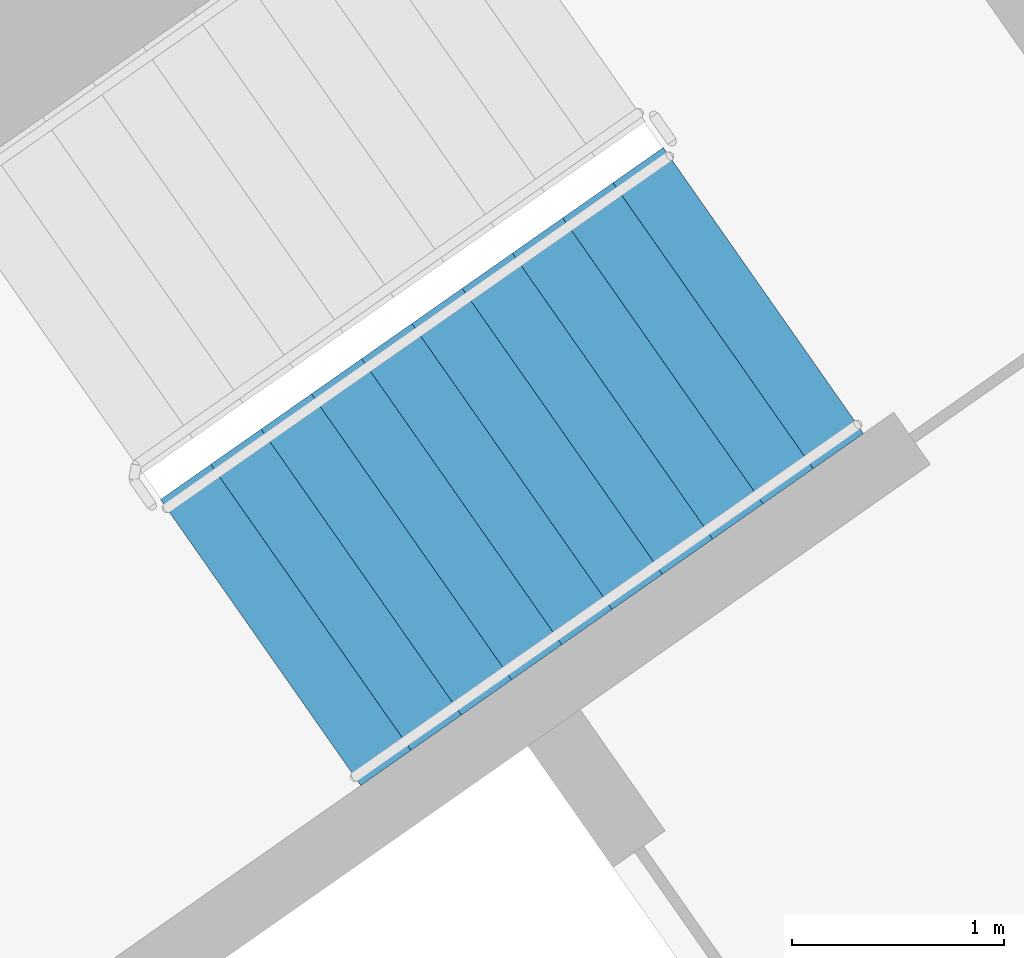
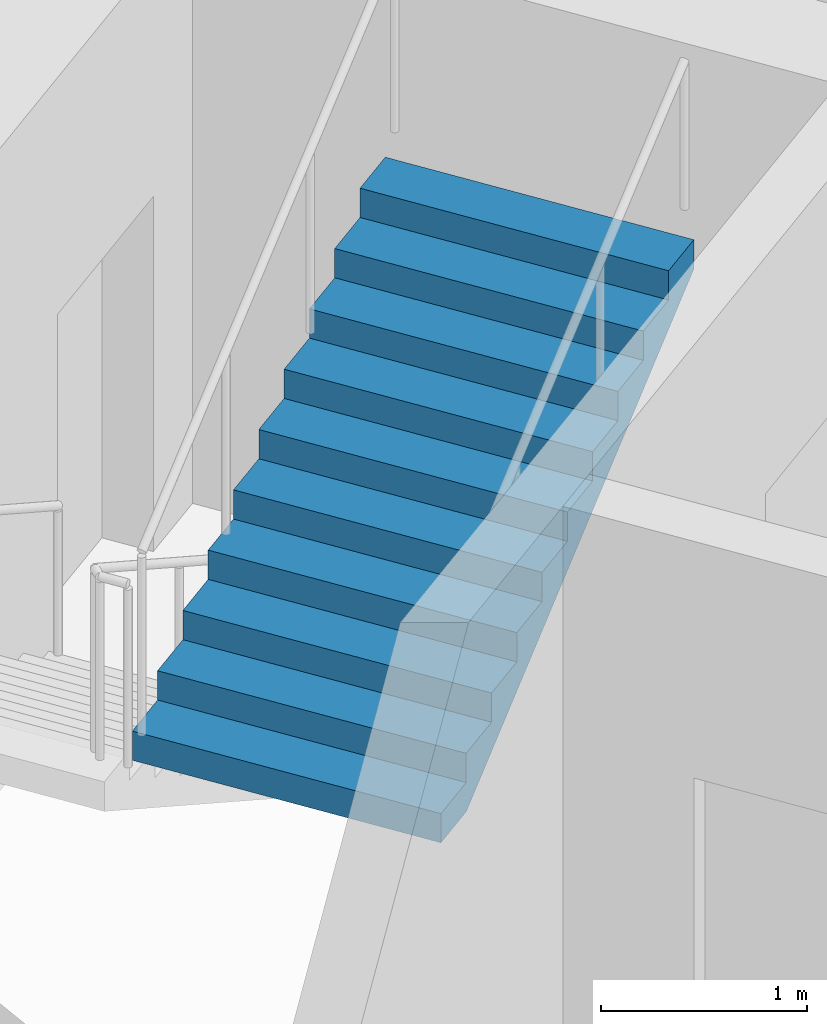
# One storey, part 16 of 28: 1 stair flight, 1 element without a shape of its own.
"""IFC4 building model written with IfcOpenShell, lengths in metres."""

from ifc_helpers import new_model, si_unit, direction, frame, origin, place, context, subcontext, project, spatial, faceted_brep, material, type_object, element, aggregate, save


model = new_model("IFC4")

# Units and contexts
model_context = context("Model", 3, precision=1e-05, world=origin(), true_north=direction((0.0, 1.0)))
body_context = subcontext(model_context, "Body", "Model", "MODEL_VIEW")
ifc_project = project(units=[si_unit("LENGTHUNIT", "METRE"), si_unit("AREAUNIT", "SQUARE_METRE"), si_unit("VOLUMEUNIT", "CUBIC_METRE"), si_unit("PLANEANGLEUNIT", "RADIAN"), si_unit("MASSUNIT", "GRAM", prefix="KILO")], contexts=[model_context])

# Site, building, storey
site_placement = place(None, origin())
site = spatial("IfcSite", under=ifc_project, at=site_placement, CompositionType="ELEMENT")
building_placement = place(site_placement, origin())
building = spatial("IfcBuilding", under=site, at=building_placement, Name="Qamariyya Broadcast Tower", CompositionType="ELEMENT")
storey_placement = place(building_placement, frame((0.0, 0.0, 269.5)))
storey = spatial("IfcBuildingStorey", under=building, at=storey_placement, Name="L65", CompositionType="ELEMENT", Elevation=269.5)

# Stair, stair flight
ifc_material = material(Name="Concrete C50/60", Category="concrete")
stair_type = type_object("IfcStairType", Name="Exit stair 22 risers of 173 mm", PredefinedType="HALF_TURN_STAIR", material=ifc_material)
stair_placement = place(storey_placement, origin())
stair = element("IfcStair", 1, at=stair_placement, inside=storey, type_object=stair_type, Name="L65 Stair E2", PredefinedType="HALF_TURN_STAIR")
stair_flight_type = type_object("IfcStairFlightType", Name="Exit stair flight 11 risers of 173 mm", PredefinedType="STRAIGHT", material=ifc_material)
stair_flight_placement = place(storey_placement, frame((39.215576171875, -50.822998046875, 1.89990234375), z_axis=(0.0, 0.0, 1.0), x_axis=(0.819152044289, 0.573576436351, 0.0)))
stair_flight = element("IfcStairFlight", 2, at=stair_flight_placement, type_object=stair_flight_type, Name="ST-E2 flight 2", NumberOfRisers=11, NumberOfTreads=10, PredefinedType="STRAIGHT", RiserHeight=0.172727273, TreadLength=0.29, context=body_context, shape_type="Brep", body=[
    faceted_brep([(0.0, 0.824951171875, 0.0), (0.0, 0.824951171875, 0.172607421875), (0.2900390625, 0.824951171875, 0.172607421875), (0.2900390625, 0.824951171875, 0.345458984375), (0.580078125, 0.824951171875, 0.345458984375), (0.580078125, 0.824951171875, 0.51806640625), (0.8701171875, 0.824951171875, 0.51806640625), (0.8701171875, 0.824951171875, 0.69091796875), (1.159912109375, 0.824951171875, 0.69091796875), (1.159912109375, 0.824951171875, 0.863525390625), (1.449951171875, 0.824951171875, 0.863525390625), (1.449951171875, 0.824951171875, 1.036376953125), (1.739990234375, 0.824951171875, 1.036376953125), (1.739990234375, 0.824951171875, 1.208984375), (2.030029296875, 0.824951171875, 1.208984375), (2.030029296875, 0.824951171875, 1.3818359375), (2.320068359375, 0.824951171875, 1.3818359375), (2.320068359375, 0.824951171875, 1.554443359375), (2.610107421875, 0.824951171875, 1.554443359375), (2.610107421875, 0.824951171875, 1.727294921875), (2.89990234375, 0.824951171875, 1.727294921875), (2.89990234375, 0.824951171875, 1.552734375), (0.29296875, 0.824951171875, 0.0), (0.29296875, -0.824951171875, 0.0), (2.89990234375, -0.824951171875, 1.552734375), (2.89990234375, -0.824951171875, 1.727294921875), (2.610107421875, -0.824951171875, 1.727294921875), (2.610107421875, -0.824951171875, 1.554443359375), (2.320068359375, -0.824951171875, 1.554443359375), (2.320068359375, -0.824951171875, 1.3818359375), (2.030029296875, -0.824951171875, 1.3818359375), (2.030029296875, -0.824951171875, 1.208984375), (1.739990234375, -0.824951171875, 1.208984375), (1.739990234375, -0.824951171875, 1.036376953125), (1.449951171875, -0.824951171875, 1.036376953125), (1.449951171875, -0.824951171875, 0.863525390625), (1.159912109375, -0.824951171875, 0.863525390625), (1.159912109375, -0.824951171875, 0.69091796875), (0.8701171875, -0.824951171875, 0.69091796875), (0.8701171875, -0.824951171875, 0.51806640625), (0.580078125, -0.824951171875, 0.51806640625), (0.580078125, -0.824951171875, 0.345458984375), (0.2900390625, -0.824951171875, 0.345458984375), (0.2900390625, -0.824951171875, 0.172607421875), (0.0, -0.824951171875, 0.172607421875), (0.0, -0.824951171875, 0.0), (0.0, 0.10009765625, 0.0), (0.0, 0.086669921875, 0.0), (0.0, 0.0732421875, 0.0), (0.0, 0.06005859375, 0.0), (0.0, 0.046630859375, 0.0), (0.0, 0.033447265625, 0.0), (0.0, 0.02001953125, 0.0), (0.0, 0.006591796875, 0.0), (0.0, -0.006591796875, 0.0), (0.0, -0.02001953125, 0.0), (0.0, -0.033447265625, 0.0), (0.0, -0.046630859375, 0.0), (0.0, -0.06005859375, 0.0), (0.0, -0.0732421875, 0.0), (0.0, -0.086669921875, 0.0), (0.0, -0.10009765625, 0.0), (0.0, -0.10009765625, 0.172607421875), (0.0, -0.086669921875, 0.172607421875), (0.0, -0.0732421875, 0.172607421875), (0.0, -0.06005859375, 0.172607421875), (0.0, -0.046630859375, 0.172607421875), (0.0, -0.033447265625, 0.172607421875), (0.0, -0.02001953125, 0.172607421875), (0.0, -0.006591796875, 0.172607421875), (0.0, 0.006591796875, 0.172607421875), (0.0, 0.02001953125, 0.172607421875), (0.0, 0.033447265625, 0.172607421875), (0.0, 0.046630859375, 0.172607421875), (0.0, 0.06005859375, 0.172607421875), (0.0, 0.0732421875, 0.172607421875), (0.0, 0.086669921875, 0.172607421875), (0.0, 0.10009765625, 0.172607421875), (0.2900390625, -0.10009765625, 0.172607421875), (0.2900390625, -0.086669921875, 0.172607421875), (0.2900390625, -0.0732421875, 0.172607421875), (0.2900390625, -0.06005859375, 0.172607421875), (0.2900390625, -0.046630859375, 0.172607421875), (0.2900390625, -0.033447265625, 0.172607421875), (0.2900390625, -0.02001953125, 0.172607421875), (0.2900390625, -0.006591796875, 0.172607421875), (0.2900390625, 0.006591796875, 0.172607421875), (0.2900390625, 0.02001953125, 0.172607421875), (0.2900390625, 0.033447265625, 0.172607421875), (0.2900390625, 0.046630859375, 0.172607421875), (0.2900390625, 0.06005859375, 0.172607421875), (0.2900390625, 0.0732421875, 0.172607421875), (0.2900390625, 0.086669921875, 0.172607421875), (0.2900390625, 0.10009765625, 0.172607421875), (0.2900390625, -0.10009765625, 0.345458984375), (0.2900390625, -0.086669921875, 0.345458984375), (0.2900390625, -0.0732421875, 0.345458984375), (0.2900390625, -0.06005859375, 0.345458984375), (0.2900390625, -0.046630859375, 0.345458984375), (0.2900390625, -0.033447265625, 0.345458984375), (0.2900390625, -0.02001953125, 0.345458984375), (0.2900390625, -0.006591796875, 0.345458984375), (0.2900390625, 0.006591796875, 0.345458984375), (0.2900390625, 0.02001953125, 0.345458984375), (0.2900390625, 0.033447265625, 0.345458984375), (0.2900390625, 0.046630859375, 0.345458984375), (0.2900390625, 0.06005859375, 0.345458984375), (0.2900390625, 0.0732421875, 0.345458984375), (0.2900390625, 0.086669921875, 0.345458984375), (0.2900390625, 0.10009765625, 0.345458984375), (0.580078125, -0.10009765625, 0.345458984375), (0.580078125, -0.086669921875, 0.345458984375), (0.580078125, -0.0732421875, 0.345458984375), (0.580078125, -0.06005859375, 0.345458984375), (0.580078125, -0.046630859375, 0.345458984375), (0.580078125, -0.033447265625, 0.345458984375), (0.580078125, -0.02001953125, 0.345458984375), (0.580078125, -0.006591796875, 0.345458984375), (0.580078125, 0.006591796875, 0.345458984375), (0.580078125, 0.02001953125, 0.345458984375), (0.580078125, 0.033447265625, 0.345458984375), (0.580078125, 0.046630859375, 0.345458984375), (0.580078125, 0.06005859375, 0.345458984375), (0.580078125, 0.0732421875, 0.345458984375), (0.580078125, 0.086669921875, 0.345458984375), (0.580078125, 0.10009765625, 0.345458984375), (0.580078125, -0.10009765625, 0.51806640625), (0.580078125, -0.086669921875, 0.51806640625), (0.580078125, -0.0732421875, 0.51806640625), (0.580078125, -0.06005859375, 0.51806640625), (0.580078125, -0.046630859375, 0.51806640625), (0.580078125, -0.033447265625, 0.51806640625), (0.580078125, -0.02001953125, 0.51806640625), (0.580078125, -0.006591796875, 0.51806640625), (0.580078125, 0.006591796875, 0.51806640625), (0.580078125, 0.02001953125, 0.51806640625), (0.580078125, 0.033447265625, 0.51806640625), (0.580078125, 0.046630859375, 0.51806640625), (0.580078125, 0.06005859375, 0.51806640625), (0.580078125, 0.0732421875, 0.51806640625), (0.580078125, 0.086669921875, 0.51806640625), (0.580078125, 0.10009765625, 0.51806640625), (0.8701171875, -0.10009765625, 0.51806640625), (0.8701171875, -0.086669921875, 0.51806640625), (0.8701171875, -0.0732421875, 0.51806640625), (0.8701171875, -0.06005859375, 0.51806640625), (0.8701171875, -0.046630859375, 0.51806640625), (0.8701171875, -0.033447265625, 0.51806640625), (0.8701171875, -0.02001953125, 0.51806640625), (0.8701171875, -0.006591796875, 0.51806640625), (0.8701171875, 0.006591796875, 0.51806640625), (0.8701171875, 0.02001953125, 0.51806640625), (0.8701171875, 0.033447265625, 0.51806640625), (0.8701171875, 0.046630859375, 0.51806640625), (0.8701171875, 0.06005859375, 0.51806640625), (0.8701171875, 0.0732421875, 0.51806640625), (0.8701171875, 0.086669921875, 0.51806640625), (0.8701171875, 0.10009765625, 0.51806640625), (0.8701171875, -0.10009765625, 0.69091796875), (0.8701171875, -0.086669921875, 0.69091796875), (0.8701171875, -0.0732421875, 0.69091796875), (0.8701171875, -0.06005859375, 0.69091796875), (0.8701171875, -0.046630859375, 0.69091796875), (0.8701171875, -0.033447265625, 0.69091796875), (0.8701171875, -0.02001953125, 0.69091796875), (0.8701171875, -0.006591796875, 0.69091796875), (0.8701171875, 0.006591796875, 0.69091796875), (0.8701171875, 0.02001953125, 0.69091796875), (0.8701171875, 0.033447265625, 0.69091796875), (0.8701171875, 0.046630859375, 0.69091796875), (0.8701171875, 0.06005859375, 0.69091796875), (0.8701171875, 0.0732421875, 0.69091796875), (0.8701171875, 0.086669921875, 0.69091796875), (0.8701171875, 0.10009765625, 0.69091796875), (1.159912109375, -0.10009765625, 0.69091796875), (1.159912109375, -0.086669921875, 0.69091796875), (1.159912109375, -0.0732421875, 0.69091796875), (1.159912109375, -0.06005859375, 0.69091796875), (1.159912109375, -0.046630859375, 0.69091796875), (1.159912109375, -0.033447265625, 0.69091796875), (1.159912109375, -0.02001953125, 0.69091796875), (1.159912109375, -0.006591796875, 0.69091796875), (1.159912109375, 0.006591796875, 0.69091796875), (1.159912109375, 0.02001953125, 0.69091796875), (1.159912109375, 0.033447265625, 0.69091796875), (1.159912109375, 0.046630859375, 0.69091796875), (1.159912109375, 0.06005859375, 0.69091796875), (1.159912109375, 0.0732421875, 0.69091796875), (1.159912109375, 0.086669921875, 0.69091796875), (1.159912109375, 0.10009765625, 0.69091796875), (1.159912109375, -0.10009765625, 0.863525390625), (1.159912109375, -0.086669921875, 0.863525390625), (1.159912109375, -0.0732421875, 0.863525390625), (1.159912109375, -0.06005859375, 0.863525390625), (1.159912109375, -0.046630859375, 0.863525390625), (1.159912109375, -0.033447265625, 0.863525390625), (1.159912109375, -0.02001953125, 0.863525390625), (1.159912109375, -0.006591796875, 0.863525390625), (1.159912109375, 0.006591796875, 0.863525390625), (1.159912109375, 0.02001953125, 0.863525390625), (1.159912109375, 0.033447265625, 0.863525390625), (1.159912109375, 0.046630859375, 0.863525390625), (1.159912109375, 0.06005859375, 0.863525390625), (1.159912109375, 0.0732421875, 0.863525390625), (1.159912109375, 0.086669921875, 0.863525390625), (1.159912109375, 0.10009765625, 0.863525390625), (1.449951171875, -0.10009765625, 0.863525390625), (1.449951171875, -0.086669921875, 0.863525390625), (1.449951171875, -0.0732421875, 0.863525390625), (1.449951171875, -0.06005859375, 0.863525390625), (1.449951171875, -0.046630859375, 0.863525390625), (1.449951171875, -0.033447265625, 0.863525390625), (1.449951171875, -0.02001953125, 0.863525390625), (1.449951171875, -0.006591796875, 0.863525390625), (1.449951171875, 0.006591796875, 0.863525390625), (1.449951171875, 0.02001953125, 0.863525390625), (1.449951171875, 0.033447265625, 0.863525390625), (1.449951171875, 0.046630859375, 0.863525390625), (1.449951171875, 0.06005859375, 0.863525390625), (1.449951171875, 0.0732421875, 0.863525390625), (1.449951171875, 0.086669921875, 0.863525390625), (1.449951171875, 0.10009765625, 0.863525390625), (1.449951171875, -0.10009765625, 1.036376953125), (1.449951171875, -0.086669921875, 1.036376953125), (1.449951171875, -0.0732421875, 1.036376953125), (1.449951171875, -0.06005859375, 1.036376953125), (1.449951171875, -0.046630859375, 1.036376953125), (1.449951171875, -0.033447265625, 1.036376953125), (1.449951171875, -0.02001953125, 1.036376953125), (1.449951171875, -0.006591796875, 1.036376953125), (1.449951171875, 0.006591796875, 1.036376953125), (1.449951171875, 0.02001953125, 1.036376953125), (1.449951171875, 0.033447265625, 1.036376953125), (1.449951171875, 0.046630859375, 1.036376953125), (1.449951171875, 0.06005859375, 1.036376953125), (1.449951171875, 0.0732421875, 1.036376953125), (1.449951171875, 0.086669921875, 1.036376953125), (1.449951171875, 0.10009765625, 1.036376953125), (1.739990234375, -0.10009765625, 1.036376953125), (1.739990234375, -0.086669921875, 1.036376953125), (1.739990234375, -0.0732421875, 1.036376953125), (1.739990234375, -0.06005859375, 1.036376953125), (1.739990234375, -0.046630859375, 1.036376953125), (1.739990234375, -0.033447265625, 1.036376953125), (1.739990234375, -0.02001953125, 1.036376953125), (1.739990234375, -0.006591796875, 1.036376953125), (1.739990234375, 0.006591796875, 1.036376953125), (1.739990234375, 0.02001953125, 1.036376953125), (1.739990234375, 0.033447265625, 1.036376953125), (1.739990234375, 0.046630859375, 1.036376953125), (1.739990234375, 0.06005859375, 1.036376953125), (1.739990234375, 0.0732421875, 1.036376953125), (1.739990234375, 0.086669921875, 1.036376953125), (1.739990234375, 0.10009765625, 1.036376953125), (1.739990234375, -0.10009765625, 1.208984375), (1.739990234375, -0.086669921875, 1.208984375), (1.739990234375, -0.0732421875, 1.208984375), (1.739990234375, -0.06005859375, 1.208984375), (1.739990234375, -0.046630859375, 1.208984375), (1.739990234375, -0.033447265625, 1.208984375), (1.739990234375, -0.02001953125, 1.208984375), (1.739990234375, -0.006591796875, 1.208984375), (1.739990234375, 0.006591796875, 1.208984375), (1.739990234375, 0.02001953125, 1.208984375), (1.739990234375, 0.033447265625, 1.208984375), (1.739990234375, 0.046630859375, 1.208984375), (1.739990234375, 0.06005859375, 1.208984375), (1.739990234375, 0.0732421875, 1.208984375), (1.739990234375, 0.086669921875, 1.208984375), (1.739990234375, 0.10009765625, 1.208984375), (2.030029296875, -0.10009765625, 1.208984375), (2.030029296875, -0.086669921875, 1.208984375), (2.030029296875, -0.0732421875, 1.208984375), (2.030029296875, -0.06005859375, 1.208984375), (2.030029296875, -0.046630859375, 1.208984375), (2.030029296875, -0.033447265625, 1.208984375), (2.030029296875, -0.02001953125, 1.208984375), (2.030029296875, -0.006591796875, 1.208984375), (2.030029296875, 0.006591796875, 1.208984375), (2.030029296875, 0.02001953125, 1.208984375), (2.030029296875, 0.033447265625, 1.208984375), (2.030029296875, 0.046630859375, 1.208984375), (2.030029296875, 0.06005859375, 1.208984375), (2.030029296875, 0.0732421875, 1.208984375), (2.030029296875, 0.086669921875, 1.208984375), (2.030029296875, 0.10009765625, 1.208984375), (2.030029296875, -0.10009765625, 1.3818359375), (2.030029296875, -0.086669921875, 1.3818359375), (2.030029296875, -0.0732421875, 1.3818359375), (2.030029296875, -0.06005859375, 1.3818359375), (2.030029296875, -0.046630859375, 1.3818359375), (2.030029296875, -0.033447265625, 1.3818359375), (2.030029296875, -0.02001953125, 1.3818359375), (2.030029296875, -0.006591796875, 1.3818359375), (2.030029296875, 0.006591796875, 1.3818359375), (2.030029296875, 0.02001953125, 1.3818359375), (2.030029296875, 0.033447265625, 1.3818359375), (2.030029296875, 0.046630859375, 1.3818359375), (2.030029296875, 0.06005859375, 1.3818359375), (2.030029296875, 0.0732421875, 1.3818359375), (2.030029296875, 0.086669921875, 1.3818359375), (2.030029296875, 0.10009765625, 1.3818359375), (2.320068359375, -0.10009765625, 1.3818359375), (2.320068359375, -0.086669921875, 1.3818359375), (2.320068359375, -0.0732421875, 1.3818359375), (2.320068359375, -0.06005859375, 1.3818359375), (2.320068359375, -0.046630859375, 1.3818359375), (2.320068359375, -0.033447265625, 1.3818359375), (2.320068359375, -0.02001953125, 1.3818359375), (2.320068359375, -0.006591796875, 1.3818359375), (2.320068359375, 0.006591796875, 1.3818359375), (2.320068359375, 0.02001953125, 1.3818359375), (2.320068359375, 0.033447265625, 1.3818359375), (2.320068359375, 0.046630859375, 1.3818359375), (2.320068359375, 0.06005859375, 1.3818359375), (2.320068359375, 0.0732421875, 1.3818359375), (2.320068359375, 0.086669921875, 1.3818359375), (2.320068359375, 0.10009765625, 1.3818359375), (2.320068359375, -0.10009765625, 1.554443359375), (2.320068359375, -0.086669921875, 1.554443359375), (2.320068359375, -0.0732421875, 1.554443359375), (2.320068359375, -0.06005859375, 1.554443359375), (2.320068359375, -0.046630859375, 1.554443359375), (2.320068359375, -0.033447265625, 1.554443359375), (2.320068359375, -0.02001953125, 1.554443359375), (2.320068359375, -0.006591796875, 1.554443359375), (2.320068359375, 0.006591796875, 1.554443359375), (2.320068359375, 0.02001953125, 1.554443359375), (2.320068359375, 0.033447265625, 1.554443359375), (2.320068359375, 0.046630859375, 1.554443359375), (2.320068359375, 0.06005859375, 1.554443359375), (2.320068359375, 0.0732421875, 1.554443359375), (2.320068359375, 0.086669921875, 1.554443359375), (2.320068359375, 0.10009765625, 1.554443359375), (2.610107421875, -0.10009765625, 1.554443359375), (2.610107421875, -0.086669921875, 1.554443359375), (2.610107421875, -0.0732421875, 1.554443359375), (2.610107421875, -0.06005859375, 1.554443359375), (2.610107421875, -0.046630859375, 1.554443359375), (2.610107421875, -0.033447265625, 1.554443359375), (2.610107421875, -0.02001953125, 1.554443359375), (2.610107421875, -0.006591796875, 1.554443359375), (2.610107421875, 0.006591796875, 1.554443359375), (2.610107421875, 0.02001953125, 1.554443359375), (2.610107421875, 0.033447265625, 1.554443359375), (2.610107421875, 0.046630859375, 1.554443359375), (2.610107421875, 0.06005859375, 1.554443359375), (2.610107421875, 0.0732421875, 1.554443359375), (2.610107421875, 0.086669921875, 1.554443359375), (2.610107421875, 0.10009765625, 1.554443359375), (2.610107421875, -0.10009765625, 1.727294921875), (2.610107421875, -0.086669921875, 1.727294921875), (2.610107421875, -0.0732421875, 1.727294921875), (2.610107421875, -0.06005859375, 1.727294921875), (2.610107421875, -0.046630859375, 1.727294921875), (2.610107421875, -0.033447265625, 1.727294921875), (2.610107421875, -0.02001953125, 1.727294921875), (2.610107421875, -0.006591796875, 1.727294921875), (2.610107421875, 0.006591796875, 1.727294921875), (2.610107421875, 0.02001953125, 1.727294921875), (2.610107421875, 0.033447265625, 1.727294921875), (2.610107421875, 0.046630859375, 1.727294921875), (2.610107421875, 0.06005859375, 1.727294921875), (2.610107421875, 0.0732421875, 1.727294921875), (2.610107421875, 0.086669921875, 1.727294921875), (2.610107421875, 0.10009765625, 1.727294921875), (2.89990234375, -0.10009765625, 1.727294921875), (2.89990234375, -0.086669921875, 1.727294921875), (2.89990234375, -0.0732421875, 1.727294921875), (2.89990234375, -0.06005859375, 1.727294921875), (2.89990234375, -0.046630859375, 1.727294921875), (2.89990234375, -0.033447265625, 1.727294921875), (2.89990234375, -0.02001953125, 1.727294921875), (2.89990234375, -0.006591796875, 1.727294921875), (2.89990234375, 0.006591796875, 1.727294921875), (2.89990234375, 0.02001953125, 1.727294921875), (2.89990234375, 0.033447265625, 1.727294921875), (2.89990234375, 0.046630859375, 1.727294921875), (2.89990234375, 0.06005859375, 1.727294921875), (2.89990234375, 0.0732421875, 1.727294921875), (2.89990234375, 0.086669921875, 1.727294921875), (2.89990234375, 0.10009765625, 1.727294921875), (2.89990234375, -0.10009765625, 1.552734375), (2.89990234375, -0.086669921875, 1.552734375), (2.89990234375, -0.0732421875, 1.552734375), (2.89990234375, -0.06005859375, 1.552734375), (2.89990234375, -0.046630859375, 1.552734375), (2.89990234375, -0.033447265625, 1.552734375), (2.89990234375, -0.02001953125, 1.552734375), (2.89990234375, -0.006591796875, 1.552734375), (2.89990234375, 0.006591796875, 1.552734375), (2.89990234375, 0.02001953125, 1.552734375), (2.89990234375, 0.033447265625, 1.552734375), (2.89990234375, 0.046630859375, 1.552734375), (2.89990234375, 0.06005859375, 1.552734375), (2.89990234375, 0.0732421875, 1.552734375), (2.89990234375, 0.086669921875, 1.552734375), (2.89990234375, 0.10009765625, 1.552734375), (0.29296875, -0.10009765625, 0.0), (0.29296875, -0.086669921875, 0.0), (0.29296875, -0.0732421875, 0.0), (0.29296875, -0.06005859375, 0.0), (0.29296875, -0.046630859375, 0.0), (0.29296875, -0.033447265625, 0.0), (0.29296875, -0.02001953125, 0.0), (0.29296875, -0.006591796875, 0.0), (0.29296875, 0.006591796875, 0.0), (0.29296875, 0.02001953125, 0.0), (0.29296875, 0.033447265625, 0.0), (0.29296875, 0.046630859375, 0.0), (0.29296875, 0.06005859375, 0.0), (0.29296875, 0.0732421875, 0.0), (0.29296875, 0.086669921875, 0.0), (0.29296875, 0.10009765625, 0.0)], [[[0, 1, 2, 3, 4, 5, 6, 7, 8, 9, 10, 11, 12, 13, 14, 15, 16, 17, 18, 19, 20, 21, 22]], [[23, 24, 25, 26, 27, 28, 29, 30, 31, 32, 33, 34, 35, 36, 37, 38, 39, 40, 41, 42, 43, 44, 45]], [[0, 46, 47, 48, 49, 50, 51, 52, 53, 54, 55, 56, 57, 58, 59, 60, 61, 45, 44, 62, 63, 64, 65, 66, 67, 68, 69, 70, 71, 72, 73, 74, 75, 76, 77, 1]], [[1, 77, 76, 75, 74, 73, 72, 71, 70, 69, 68, 67, 66, 65, 64, 63, 62, 44, 43, 78, 79, 80, 81, 82, 83, 84, 85, 86, 87, 88, 89, 90, 91, 92, 93, 2]], [[2, 93, 92, 91, 90, 89, 88, 87, 86, 85, 84, 83, 82, 81, 80, 79, 78, 43, 42, 94, 95, 96, 97, 98, 99, 100, 101, 102, 103, 104, 105, 106, 107, 108, 109, 3]], [[3, 109, 108, 107, 106, 105, 104, 103, 102, 101, 100, 99, 98, 97, 96, 95, 94, 42, 41, 110, 111, 112, 113, 114, 115, 116, 117, 118, 119, 120, 121, 122, 123, 124, 125, 4]], [[4, 125, 124, 123, 122, 121, 120, 119, 118, 117, 116, 115, 114, 113, 112, 111, 110, 41, 40, 126, 127, 128, 129, 130, 131, 132, 133, 134, 135, 136, 137, 138, 139, 140, 141, 5]], [[5, 141, 140, 139, 138, 137, 136, 135, 134, 133, 132, 131, 130, 129, 128, 127, 126, 40, 39, 142, 143, 144, 145, 146, 147, 148, 149, 150, 151, 152, 153, 154, 155, 156, 157, 6]], [[6, 157, 156, 155, 154, 153, 152, 151, 150, 149, 148, 147, 146, 145, 144, 143, 142, 39, 38, 158, 159, 160, 161, 162, 163, 164, 165, 166, 167, 168, 169, 170, 171, 172, 173, 7]], [[7, 173, 172, 171, 170, 169, 168, 167, 166, 165, 164, 163, 162, 161, 160, 159, 158, 38, 37, 174, 175, 176, 177, 178, 179, 180, 181, 182, 183, 184, 185, 186, 187, 188, 189, 8]], [[8, 189, 188, 187, 186, 185, 184, 183, 182, 181, 180, 179, 178, 177, 176, 175, 174, 37, 36, 190, 191, 192, 193, 194, 195, 196, 197, 198, 199, 200, 201, 202, 203, 204, 205, 9]], [[9, 205, 204, 203, 202, 201, 200, 199, 198, 197, 196, 195, 194, 193, 192, 191, 190, 36, 35, 206, 207, 208, 209, 210, 211, 212, 213, 214, 215, 216, 217, 218, 219, 220, 221, 10]], [[10, 221, 220, 219, 218, 217, 216, 215, 214, 213, 212, 211, 210, 209, 208, 207, 206, 35, 34, 222, 223, 224, 225, 226, 227, 228, 229, 230, 231, 232, 233, 234, 235, 236, 237, 11]], [[11, 237, 236, 235, 234, 233, 232, 231, 230, 229, 228, 227, 226, 225, 224, 223, 222, 34, 33, 238, 239, 240, 241, 242, 243, 244, 245, 246, 247, 248, 249, 250, 251, 252, 253, 12]], [[12, 253, 252, 251, 250, 249, 248, 247, 246, 245, 244, 243, 242, 241, 240, 239, 238, 33, 32, 254, 255, 256, 257, 258, 259, 260, 261, 262, 263, 264, 265, 266, 267, 268, 269, 13]], [[13, 269, 268, 267, 266, 265, 264, 263, 262, 261, 260, 259, 258, 257, 256, 255, 254, 32, 31, 270, 271, 272, 273, 274, 275, 276, 277, 278, 279, 280, 281, 282, 283, 284, 285, 14]], [[14, 285, 284, 283, 282, 281, 280, 279, 278, 277, 276, 275, 274, 273, 272, 271, 270, 31, 30, 286, 287, 288, 289, 290, 291, 292, 293, 294, 295, 296, 297, 298, 299, 300, 301, 15]], [[15, 301, 300, 299, 298, 297, 296, 295, 294, 293, 292, 291, 290, 289, 288, 287, 286, 30, 29, 302, 303, 304, 305, 306, 307, 308, 309, 310, 311, 312, 313, 314, 315, 316, 317, 16]], [[16, 317, 316, 315, 314, 313, 312, 311, 310, 309, 308, 307, 306, 305, 304, 303, 302, 29, 28, 318, 319, 320, 321, 322, 323, 324, 325, 326, 327, 328, 329, 330, 331, 332, 333, 17]], [[17, 333, 332, 331, 330, 329, 328, 327, 326, 325, 324, 323, 322, 321, 320, 319, 318, 28, 27, 334, 335, 336, 337, 338, 339, 340, 341, 342, 343, 344, 345, 346, 347, 348, 349, 18]], [[18, 349, 348, 347, 346, 345, 344, 343, 342, 341, 340, 339, 338, 337, 336, 335, 334, 27, 26, 350, 351, 352, 353, 354, 355, 356, 357, 358, 359, 360, 361, 362, 363, 364, 365, 19]], [[19, 365, 364, 363, 362, 361, 360, 359, 358, 357, 356, 355, 354, 353, 352, 351, 350, 26, 25, 366, 367, 368, 369, 370, 371, 372, 373, 374, 375, 376, 377, 378, 379, 380, 381, 20]], [[20, 381, 380, 379, 378, 377, 376, 375, 374, 373, 372, 371, 370, 369, 368, 367, 366, 25, 24, 382, 383, 384, 385, 386, 387, 388, 389, 390, 391, 392, 393, 394, 395, 396, 397, 21]], [[21, 397, 396, 395, 394, 393, 392, 391, 390, 389, 388, 387, 386, 385, 384, 383, 382, 24, 23, 398, 399, 400, 401, 402, 403, 404, 405, 406, 407, 408, 409, 410, 411, 412, 413, 22]], [[22, 413, 412, 411, 410, 409, 408, 407, 406, 405, 404, 403, 402, 401, 400, 399, 398, 23, 45, 61, 60, 59, 58, 57, 56, 55, 54, 53, 52, 51, 50, 49, 48, 47, 46, 0]]]),
])
aggregate(stair, [stair_flight])

save(model, "model.ifc")
